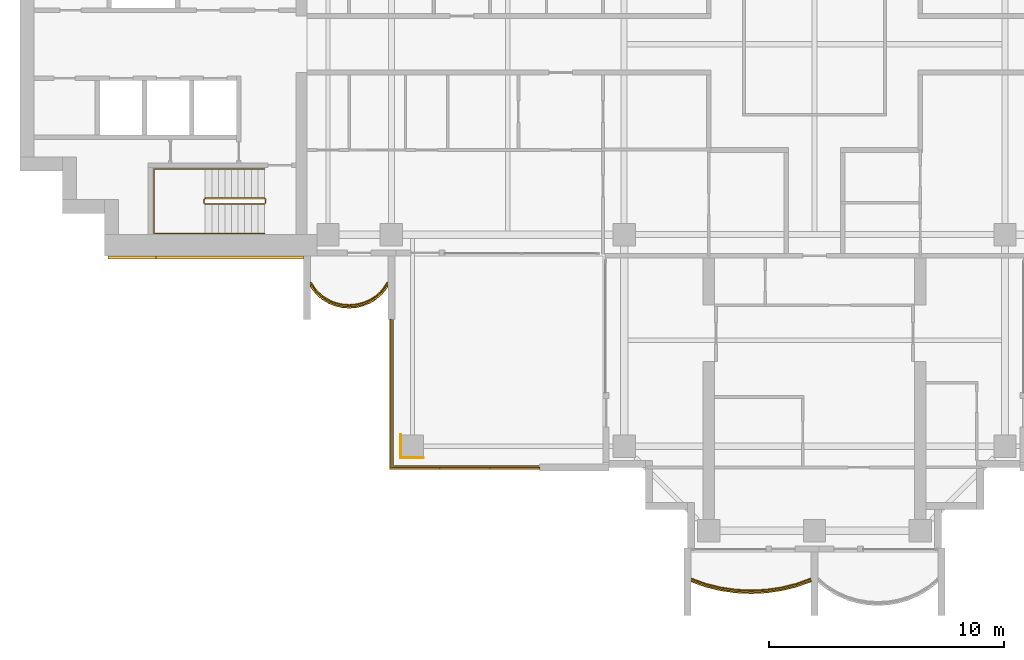
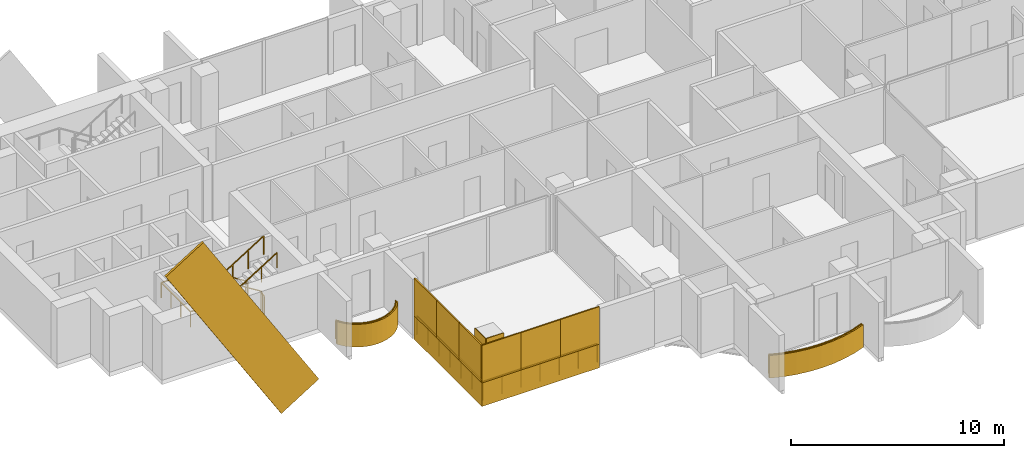
# One storey, part 15 of 18: 12 coverings, 5 railings.
"""IFC4 building model written with IfcOpenShell, lengths in metres."""

from ifc_helpers import new_model, si_unit, direction, frame, origin, origin_2d, place, context, subcontext, project, spatial, polyline, rectangle, outline, extrude, material, layer, layer_set, material_profile, profile_set, type_object, element, save


model = new_model("IFC4")

# Units and contexts
model_context = context("Model", 3, precision=1e-05, world=origin(), true_north=direction((0.0, 1.0)))
body_context = subcontext(model_context, "Body", "Model", "MODEL_VIEW")
ifc_project = project(units=[si_unit("LENGTHUNIT", "METRE"), si_unit("AREAUNIT", "SQUARE_METRE"), si_unit("VOLUMEUNIT", "CUBIC_METRE"), si_unit("PLANEANGLEUNIT", "RADIAN"), si_unit("MASSUNIT", "GRAM", prefix="KILO")], contexts=[model_context])

# Site, building, storey
site_placement = place(None, origin())
site = spatial("IfcSite", under=ifc_project, at=site_placement, CompositionType="ELEMENT")
building_placement = place(site_placement, origin())
building = spatial("IfcBuilding", under=site, at=building_placement, Name="Perihelion Cross Residences", CompositionType="ELEMENT")
storey_placement = place(building_placement, frame((0.0, 0.0, 219.10009765625)))
storey = spatial("IfcBuildingStorey", under=building, at=storey_placement, Name="L55", CompositionType="ELEMENT", Elevation=219.10009765625)

# Coverings
ifc_material_1 = material(Name="Bronze anodised aluminium", Category="aluminium")
ifc_layer_1 = layer(ifc_material_1, 0.070068359375)
ifc_layer_set_1 = layer_set([ifc_layer_1], Name="Balcony fascia 1300")
covering_type_1 = type_object("IfcCoveringType", Name="Balcony fascia 1300", PredefinedType="CLADDING", material=ifc_layer_set_1)
covering_1_placement = place(storey_placement, frame((0.0, 0.0, -0.2001953125)))
element("IfcCovering", 1, at=covering_1_placement, inside=storey, type_object=covering_type_1, Name="Fascia BF1 L55 west side south bay 1", PredefinedType="CLADDING", context=body_context, shape_type="SweptSolid", body=[
    extrude(outline(polyline([(-21.226318359375, -10.616455078125), (-20.94091796875, -10.86328125), (-20.655517578125, -11.031494140625), (-20.370361328125, -11.142578125), (-20.085205078125, -11.206298828125), (-19.800048828125, -11.22705078125), (-19.514892578125, -11.206298828125), (-19.229736328125, -11.142578125), (-18.9443359375, -11.031494140625), (-18.6591796875, -10.86328125), (-18.373779296875, -10.616455078125), (-18.14990234375, -10.31689453125), (-18.14990234375, -10.199951171875), (-18.425048828125, -10.568603515625), (-18.699951171875, -10.806396484375), (-18.97509765625, -10.96875), (-19.25, -11.07568359375), (-19.52490234375, -11.136962890625), (-19.800048828125, -11.156982421875), (-20.074951171875, -11.136962890625), (-20.35009765625, -11.07568359375), (-20.625, -10.96875), (-20.89990234375, -10.806396484375), (-21.175048828125, -10.568603515625), (-21.449951171875, -10.199951171875), (-21.449951171875, -10.31689453125), (-21.226318359375, -10.616455078125)])), origin(), (0.0, 0.0, 1.0), 1.300048828125),
])
covering_2_placement = place(storey_placement, frame((0.0, 0.0, -0.2001953125)))
element("IfcCovering", 2, at=covering_2_placement, inside=storey, type_object=covering_type_1, Name="Fascia BF1 L55 south tip south bay 1", PredefinedType="CLADDING", context=body_context, shape_type="SweptSolid", body=[
    extrude(outline(polyline([(-4.63232421875, -23.090576171875), (-3.98828125, -23.247314453125), (-3.34423828125, -23.339599609375), (-2.699951171875, -23.3701171875), (-2.055908203125, -23.339599609375), (-1.411865234375, -23.247314453125), (-0.767578125, -23.090576171875), (-0.14990234375, -22.874267578125), (-0.14990234375, -22.800048828125), (-0.78759765625, -23.0234375), (-1.425048828125, -23.178466796875), (-2.0625, -23.269775390625), (-2.699951171875, -23.300048828125), (-3.33740234375, -23.269775390625), (-3.97509765625, -23.178466796875), (-4.612548828125, -23.0234375), (-5.25, -22.800048828125), (-5.25, -22.874267578125), (-4.63232421875, -23.090576171875)])), origin(), (0.0, 0.0, 1.0), 1.300048828125),
])

# Railings
ifc_material_2 = material(Name="Bronze anodised aluminium", Category="aluminium")
railing_type_1 = type_object("IfcRailingType", Name="Balcony guard 1100", PredefinedType="GUARDRAIL", material=ifc_material_2)
railing_1_placement = place(storey_placement, frame((-21.425048828125, -10.139892578125, 0.0)))
element("IfcRailing", 3, at=railing_1_placement, inside=storey, type_object=railing_type_1, Name="Guard GU1 L55 west side south bay 1 balcony", PredefinedType="GUARDRAIL", context=body_context, shape_type="SweptSolid", body=[
    extrude(rectangle(XDim=0.048095703125, YDim=0.048095703125, at=origin_2d()), frame((0.0, 0.0, 1.076171875), z_axis=(0.561260132269, -0.827639452857, 0.0), x_axis=(0.827639452857, 0.561260132269, 0.0)), (0.0, 0.0, 1.0), 0.4453125),
    extrude(rectangle(XDim=0.048095703125, YDim=0.048095703125, at=origin_2d()), frame((0.25, -0.36865234375, 1.076171875), z_axis=(0.756596535164, -0.653882009982, 0.0), x_axis=(0.653882009982, 0.756596535164, 0.0)), (0.0, 0.0, 1.0), 0.36376953125),
    extrude(rectangle(XDim=0.048095703125, YDim=0.048095703125, at=origin_2d()), frame((0.525146484375, -0.6064453125, 1.076171875), z_axis=(0.861048292884, -0.508523192511, 0.0), x_axis=(0.508523192511, 0.861048292884, 0.0)), (0.0, 0.0, 1.0), 0.3193359375),
    extrude(rectangle(XDim=0.048095703125, YDim=0.048095703125, at=origin_2d()), frame((0.800048828125, -0.768798828125, 1.076171875), z_axis=(0.931973602183, -0.362526143656, 0.0), x_axis=(0.362526143656, 0.931973602183, 0.0)), (0.0, 0.0, 1.0), 0.294921875),
    extrude(rectangle(XDim=0.048095703125, YDim=0.048095703125, at=origin_2d()), frame((1.074951171875, -0.875732421875, 1.076171875), z_axis=(0.976085059389, -0.21738895289, 0.0), x_axis=(0.21738895289, 0.976085059389, 0.0)), (0.0, 0.0, 1.0), 0.281982421875),
    extrude(rectangle(XDim=0.048095703125, YDim=0.048095703125, at=origin_2d()), frame((1.35009765625, -0.93701171875, 1.076171875), z_axis=(0.997358821833, -0.072631814734, 0.0), x_axis=(0.072631814734, 0.997358821833, 0.0)), (0.0, 0.0, 1.0), 0.275634765625),
    extrude(rectangle(XDim=0.048095703125, YDim=0.048095703125, at=origin_2d()), frame((1.625, -0.95703125, 1.076171875), z_axis=(0.997363488337, 0.072567707226, 0.0), x_axis=(-0.072567707226, 0.997363488337, 0.0)), (0.0, 0.0, 1.0), 0.27587890625),
    extrude(rectangle(XDim=0.048095703125, YDim=0.048095703125, at=origin_2d()), frame((1.900146484375, -0.93701171875, 1.076171875), z_axis=(0.976044077717, 0.217572880557, 0.0), x_axis=(-0.217572880557, 0.976044077717, 0.0)), (0.0, 0.0, 1.0), 0.28173828125),
    extrude(rectangle(XDim=0.048095703125, YDim=0.048095703125, at=origin_2d()), frame((2.175048828125, -0.875732421875, 1.076171875), z_axis=(0.931973602183, 0.362526143656, 0.0), x_axis=(-0.362526143656, 0.931973602183, 0.0)), (0.0, 0.0, 1.0), 0.294921875),
    extrude(rectangle(XDim=0.048095703125, YDim=0.048095703125, at=origin_2d()), frame((2.449951171875, -0.768798828125, 1.076171875), z_axis=(0.861245845072, 0.508188542123, 0.0), x_axis=(-0.508188542123, 0.861245845072, 0.0)), (0.0, 0.0, 1.0), 0.319580078125),
    extrude(rectangle(XDim=0.048095703125, YDim=0.048095703125, at=origin_2d()), frame((2.72509765625, -0.6064453125, 1.076171875), z_axis=(0.756309278473, 0.654214242658, 0.0), x_axis=(-0.654214242658, 0.756309278473, 0.0)), (0.0, 0.0, 1.0), 0.363525390625),
    extrude(rectangle(XDim=0.048095703125, YDim=0.048095703125, at=origin_2d()), frame((3.0, -0.36865234375, 1.076171875), z_axis=(0.561260132269, 0.827639452857, 0.0), x_axis=(-0.827639452857, 0.561260132269, 0.0)), (0.0, 0.0, 1.0), 0.4453125),
    extrude(rectangle(XDim=0.0419921875, YDim=0.0419921875, at=origin_2d()), origin(), (0.0, 0.0, 1.0), 1.052001953125),
    extrude(rectangle(XDim=0.0419921875, YDim=0.0419921875, at=origin_2d()), frame((0.25, -0.36865234375, 0.0)), (0.0, 0.0, 1.0), 1.052001953125),
    extrude(rectangle(XDim=0.0419921875, YDim=0.0419921875, at=origin_2d()), frame((0.525146484375, -0.6064453125, 0.0)), (0.0, 0.0, 1.0), 1.052001953125),
    extrude(rectangle(XDim=0.0419921875, YDim=0.0419921875, at=origin_2d()), frame((0.800048828125, -0.768798828125, 0.0)), (0.0, 0.0, 1.0), 1.052001953125),
    extrude(rectangle(XDim=0.0419921875, YDim=0.0419921875, at=origin_2d()), frame((1.074951171875, -0.875732421875, 0.0)), (0.0, 0.0, 1.0), 1.052001953125),
    extrude(rectangle(XDim=0.0419921875, YDim=0.0419921875, at=origin_2d()), frame((1.35009765625, -0.93701171875, 0.0)), (0.0, 0.0, 1.0), 1.052001953125),
    extrude(rectangle(XDim=0.0419921875, YDim=0.0419921875, at=origin_2d()), frame((1.625, -0.95703125, 0.0)), (0.0, 0.0, 1.0), 1.052001953125),
    extrude(rectangle(XDim=0.0419921875, YDim=0.0419921875, at=origin_2d()), frame((1.900146484375, -0.93701171875, 0.0)), (0.0, 0.0, 1.0), 1.052001953125),
    extrude(rectangle(XDim=0.0419921875, YDim=0.0419921875, at=origin_2d()), frame((2.175048828125, -0.875732421875, 0.0)), (0.0, 0.0, 1.0), 1.052001953125),
    extrude(rectangle(XDim=0.0419921875, YDim=0.0419921875, at=origin_2d()), frame((2.449951171875, -0.768798828125, 0.0)), (0.0, 0.0, 1.0), 1.052001953125),
    extrude(rectangle(XDim=0.0419921875, YDim=0.0419921875, at=origin_2d()), frame((2.72509765625, -0.6064453125, 0.0)), (0.0, 0.0, 1.0), 1.052001953125),
    extrude(rectangle(XDim=0.0419921875, YDim=0.0419921875, at=origin_2d()), frame((3.0, -0.36865234375, 0.0)), (0.0, 0.0, 1.0), 1.052001953125),
    extrude(rectangle(XDim=0.0419921875, YDim=0.0419921875, at=origin_2d()), frame((3.25, 0.0, 0.0)), (0.0, 0.0, 1.0), 1.052001953125),
])
railing_2_placement = place(storey_placement, frame((-5.22509765625, -22.739990234375, 0.0)))
element("IfcRailing", 4, at=railing_2_placement, inside=storey, type_object=railing_type_1, Name="Guard GU1 L55 south tip south bay 1 balcony", PredefinedType="GUARDRAIL", context=body_context, shape_type="SweptSolid", body=[
    extrude(rectangle(XDim=0.048095703125, YDim=0.048095703125, at=origin_2d()), frame((0.0, 0.0, 1.076171875), z_axis=(0.939355405384, -0.342945217749, 0.0), x_axis=(0.342945217749, 0.939355405384, 0.0)), (0.0, 0.0, 1.0), 0.652099609375),
    extrude(rectangle(XDim=0.048095703125, YDim=0.048095703125, at=origin_2d()), frame((0.612548828125, -0.2236328125, 1.076171875), z_axis=(0.971676841941, -0.236313594268, 0.0), x_axis=(0.236313594268, 0.971676841941, 0.0)), (0.0, 0.0, 1.0), 0.656005859375),
    extrude(rectangle(XDim=0.048095703125, YDim=0.048095703125, at=origin_2d()), frame((1.25, -0.378662109375, 1.076171875), z_axis=(0.989903964498, -0.141739694763, 0.0), x_axis=(0.141739694763, 0.989903964498, 0.0)), (0.0, 0.0, 1.0), 0.644287109375),
    extrude(rectangle(XDim=0.048095703125, YDim=0.048095703125, at=origin_2d()), frame((1.8876953125, -0.469970703125, 1.076171875), z_axis=(0.998892243319, -0.04705620296, 0.0), x_axis=(0.04705620296, 0.998892243319, 0.0)), (0.0, 0.0, 1.0), 0.63818359375),
    extrude(rectangle(XDim=0.048095703125, YDim=0.048095703125, at=origin_2d()), frame((2.525146484375, -0.5, 1.076171875), z_axis=(0.998892243319, 0.04705620296, 0.0), x_axis=(-0.04705620296, 0.998892243319, 0.0)), (0.0, 0.0, 1.0), 0.63818359375),
    extrude(rectangle(XDim=0.048095703125, YDim=0.048095703125, at=origin_2d()), frame((3.16259765625, -0.469970703125, 1.076171875), z_axis=(0.989896346386, 0.141792889142, 0.0), x_axis=(-0.141792889142, 0.989896346386, 0.0)), (0.0, 0.0, 1.0), 0.64404296875),
    extrude(rectangle(XDim=0.048095703125, YDim=0.048095703125, at=origin_2d()), frame((3.800048828125, -0.378662109375, 1.076171875), z_axis=(0.971676841941, 0.236313594268, 0.0), x_axis=(-0.236313594268, 0.971676841941, 0.0)), (0.0, 0.0, 1.0), 0.656005859375),
    extrude(rectangle(XDim=0.048095703125, YDim=0.048095703125, at=origin_2d()), frame((4.4375, -0.2236328125, 1.076171875), z_axis=(0.939355405384, 0.342945217749, 0.0), x_axis=(-0.342945217749, 0.939355405384, 0.0)), (0.0, 0.0, 1.0), 0.652099609375),
    extrude(rectangle(XDim=0.0419921875, YDim=0.0419921875, at=origin_2d()), origin(), (0.0, 0.0, 1.0), 1.052001953125),
    extrude(rectangle(XDim=0.0419921875, YDim=0.0419921875, at=origin_2d()), frame((0.612548828125, -0.2236328125, 0.0)), (0.0, 0.0, 1.0), 1.052001953125),
    extrude(rectangle(XDim=0.0419921875, YDim=0.0419921875, at=origin_2d()), frame((1.25, -0.378662109375, 0.0)), (0.0, 0.0, 1.0), 1.052001953125),
    extrude(rectangle(XDim=0.0419921875, YDim=0.0419921875, at=origin_2d()), frame((1.8876953125, -0.469970703125, 0.0)), (0.0, 0.0, 1.0), 1.052001953125),
    extrude(rectangle(XDim=0.0419921875, YDim=0.0419921875, at=origin_2d()), frame((2.525146484375, -0.5, 0.0)), (0.0, 0.0, 1.0), 1.052001953125),
    extrude(rectangle(XDim=0.0419921875, YDim=0.0419921875, at=origin_2d()), frame((3.16259765625, -0.469970703125, 0.0)), (0.0, 0.0, 1.0), 1.052001953125),
    extrude(rectangle(XDim=0.0419921875, YDim=0.0419921875, at=origin_2d()), frame((3.800048828125, -0.378662109375, 0.0)), (0.0, 0.0, 1.0), 1.052001953125),
    extrude(rectangle(XDim=0.0419921875, YDim=0.0419921875, at=origin_2d()), frame((4.4375, -0.2236328125, 0.0)), (0.0, 0.0, 1.0), 1.052001953125),
    extrude(rectangle(XDim=0.0419921875, YDim=0.0419921875, at=origin_2d()), frame((5.050048828125, 0.0, 0.0)), (0.0, 0.0, 1.0), 1.052001953125),
])
railing_3_placement = place(storey_placement, frame((-11.739990234375, -17.93994140625, 0.0)))
element("IfcRailing", 5, at=railing_3_placement, inside=storey, type_object=railing_type_1, Name="Guard GU1 L55 pocket south-west 1", PredefinedType="GUARDRAIL", context=body_context, shape_type="SweptSolid", body=[
    extrude(rectangle(XDim=0.048095703125, YDim=0.048095703125, at=origin_2d()), frame((0.0, 0.0, 1.076171875), z_axis=(-1.0, 0.0, 0.0), x_axis=(0.0, -1.0, 0.0)), (0.0, 0.0, 1.0), 6.199951171875),
    extrude(rectangle(XDim=0.048095703125, YDim=0.048095703125, at=origin_2d()), frame((-6.199951171875, 0.0, 1.076171875), z_axis=(0.0, 1.0, 0.0), x_axis=(-1.0, 0.0, 0.0)), (0.0, 0.0, 1.0), 6.199951171875),
    extrude(rectangle(XDim=0.0419921875, YDim=0.0419921875, at=origin_2d()), origin(), (0.0, 0.0, 1.0), 1.052001953125),
    extrude(rectangle(XDim=0.0419921875, YDim=0.0419921875, at=origin_2d()), frame((-1.033203125, 0.0, 0.0)), (0.0, 0.0, 1.0), 1.052001953125),
    extrude(rectangle(XDim=0.0419921875, YDim=0.0419921875, at=origin_2d()), frame((-2.066650390625, 0.0, 0.0)), (0.0, 0.0, 1.0), 1.052001953125),
    extrude(rectangle(XDim=0.0419921875, YDim=0.0419921875, at=origin_2d()), frame((-3.10009765625, 0.0, 0.0)), (0.0, 0.0, 1.0), 1.052001953125),
    extrude(rectangle(XDim=0.0419921875, YDim=0.0419921875, at=origin_2d()), frame((-4.13330078125, 0.0, 0.0)), (0.0, 0.0, 1.0), 1.052001953125),
    extrude(rectangle(XDim=0.0419921875, YDim=0.0419921875, at=origin_2d()), frame((-5.16650390625, 0.0, 0.0)), (0.0, 0.0, 1.0), 1.052001953125),
    extrude(rectangle(XDim=0.0419921875, YDim=0.0419921875, at=origin_2d()), frame((-6.199951171875, 0.0, 0.0)), (0.0, 0.0, 1.0), 1.052001953125),
    extrude(rectangle(XDim=0.0419921875, YDim=0.0419921875, at=origin_2d()), frame((-6.199951171875, 1.033203125, 0.0)), (0.0, 0.0, 1.0), 1.052001953125),
    extrude(rectangle(XDim=0.0419921875, YDim=0.0419921875, at=origin_2d()), frame((-6.199951171875, 2.066650390625, 0.0)), (0.0, 0.0, 1.0), 1.052001953125),
    extrude(rectangle(XDim=0.0419921875, YDim=0.0419921875, at=origin_2d()), frame((-6.199951171875, 3.10009765625, 0.0)), (0.0, 0.0, 1.0), 1.052001953125),
    extrude(rectangle(XDim=0.0419921875, YDim=0.0419921875, at=origin_2d()), frame((-6.199951171875, 4.13330078125, 0.0)), (0.0, 0.0, 1.0), 1.052001953125),
    extrude(rectangle(XDim=0.0419921875, YDim=0.0419921875, at=origin_2d()), frame((-6.199951171875, 5.16650390625, 0.0)), (0.0, 0.0, 1.0), 1.052001953125),
    extrude(rectangle(XDim=0.0419921875, YDim=0.0419921875, at=origin_2d()), frame((-6.199951171875, 6.199951171875, 0.0)), (0.0, 0.0, 1.0), 1.052001953125),
])

# Coverings
ifc_material_3 = material(Name="Bronze anodised aluminium", Category="aluminium")
ifc_material_profile = material_profile(ifc_material_3, rectangle(XDim=0.125, YDim=2.39990234375, at=origin_2d()), Name="Bronze cladding band 2400")
ifc_profile_set = profile_set([ifc_material_profile], Name="Bronze anodised aluminium")
covering_type_2 = type_object("IfcCoveringType", Name="Bronze cladding band 2400", PredefinedType="CLADDING", material=ifc_profile_set)
covering_3_placement = place(storey_placement, frame((-22.767578125, -9.0625, -3.438232421875), z_axis=(-0.529924684379, 0.0, 0.848044709249), x_axis=(0.0, -1.0, 0.0)))
element("IfcCovering", 6, at=covering_3_placement, inside=storey, type_object=covering_type_2, Name="Core cladding band, west core", PredefinedType="CLADDING", context=body_context, shape_type="SweptSolid", body=[
    extrude(rectangle(XDim=0.125, YDim=2.39990234375, at=origin_2d()), origin(), (0.0, 0.0, 1.0), 11.82177734375),
])
ifc_material_4 = material(Name="Bronze anodised aluminium", Category="aluminium")
ifc_layer_2 = layer(ifc_material_4, 0.0400390625)
ifc_layer_set_2 = layer_set([ifc_layer_2], Name="Bronze column casing 40")
covering_type_3 = type_object("IfcCoveringType", Name="Bronze column casing 40", PredefinedType="CLADDING", material=ifc_layer_set_2)
covering_4_placement = place(storey_placement, frame((-17.594970703125, -17.10009765625, -0.25), z_axis=(0.0, 0.0, 1.0), x_axis=(1.0, 0.0, 0.0)))
element("IfcCovering", 7, at=covering_4_placement, inside=storey, type_object=covering_type_3, Name="Cladding CC1 L55 casing east-west no. 1", PredefinedType="CLADDING", context=body_context, shape_type="SweptSolid", body=[
    extrude(rectangle(XDim=0.0400390625, YDim=1.030029296875, at=origin_2d()), origin(), (0.0, 0.0, 1.0), 3.449951171875),
])
covering_5_placement = place(storey_placement, frame((-17.10009765625, -17.594970703125, -0.25), z_axis=(0.0, 0.0, 1.0), x_axis=(1.0, 0.0, 0.0)))
element("IfcCovering", 8, at=covering_5_placement, inside=storey, type_object=covering_type_3, Name="Cladding CC1 L55 casing north-south no. 1", PredefinedType="CLADDING", context=body_context, shape_type="SweptSolid", body=[
    extrude(rectangle(XDim=0.949951171875, YDim=0.0400390625, at=origin_2d()), origin(), (0.0, 0.0, 1.0), 3.449951171875),
])
ifc_material_5 = material(Name="Bronze anodised aluminium", Category="aluminium")
ifc_layer_3 = layer(ifc_material_5, 0.070068359375)
ifc_layer_set_3 = layer_set([ifc_layer_3], Name="Pocket fascia 1350")
covering_type_4 = type_object("IfcCoveringType", Name="Pocket fascia 1350", PredefinedType="CLADDING", material=ifc_layer_set_3)
covering_6_placement = place(storey_placement, frame((0.0, 0.0, -0.25)))
element("IfcCovering", 9, at=covering_6_placement, inside=storey, type_object=covering_type_4, Name="Fascia BF2 L55 pocket south-west 1", PredefinedType="CLADDING", context=body_context, shape_type="SweptSolid", body=[
    extrude(outline(polyline([(-18.070068359375, -11.699951171875), (-18.070068359375, -18.070068359375), (-11.699951171875, -18.070068359375), (-11.699951171875, -18.0), (-18.0, -18.0), (-18.0, -11.699951171875), (-18.070068359375, -11.699951171875)])), origin(), (0.0, 0.0, 1.0), 1.349853515625),
])
ifc_material_6 = material(Name="Bronze perforated aluminium", Category="aluminium")
ifc_layer_4 = layer(ifc_material_6, 0.070068359375)
ifc_layer_set_4 = layer_set([ifc_layer_4], Name="Pocket solar screen, bronze perforated")
covering_type_5 = type_object("IfcCoveringType", Name="Pocket solar screen, bronze perforated", PredefinedType="CLADDING", material=ifc_layer_set_4)
covering_7_placement = place(storey_placement, frame((0.0, 0.0, 1.099853515625)))
element("IfcCovering", 10, at=covering_7_placement, inside=storey, type_object=covering_type_5, Name="Solar screen PS1 L55 pocket south-west no. 1", PredefinedType="CLADDING", context=body_context, shape_type="SweptSolid", body=[
    extrude(outline(polyline([(-18.0, -18.0), (-18.0, -15.89990234375), (-18.070068359375, -15.89990234375), (-18.070068359375, -18.0), (-18.0, -18.0)])), origin(), (0.0, 0.0, 1.0), 2.150146484375),
])
covering_8_placement = place(storey_placement, frame((0.0, 0.0, 1.099853515625)))
element("IfcCovering", 11, at=covering_8_placement, inside=storey, type_object=covering_type_5, Name="Solar screen PS1 L55 pocket south-west no. 2", PredefinedType="CLADDING", context=body_context, shape_type="SweptSolid", body=[
    extrude(outline(polyline([(-18.0, -15.89990234375), (-18.0, -13.800048828125), (-18.070068359375, -13.800048828125), (-18.070068359375, -15.89990234375), (-18.0, -15.89990234375)])), origin(), (0.0, 0.0, 1.0), 2.150146484375),
])
covering_9_placement = place(storey_placement, frame((0.0, 0.0, 1.099853515625)))
element("IfcCovering", 12, at=covering_9_placement, inside=storey, type_object=covering_type_5, Name="Solar screen PS1 L55 pocket south-west no. 3", PredefinedType="CLADDING", context=body_context, shape_type="SweptSolid", body=[
    extrude(outline(polyline([(-18.0, -13.800048828125), (-18.0, -11.699951171875), (-18.070068359375, -11.699951171875), (-18.070068359375, -13.800048828125), (-18.0, -13.800048828125)])), origin(), (0.0, 0.0, 1.0), 2.150146484375),
])
covering_10_placement = place(storey_placement, frame((0.0, 0.0, 1.099853515625)))
element("IfcCovering", 13, at=covering_10_placement, inside=storey, type_object=covering_type_5, Name="Solar screen PS1 L55 pocket south-west no. 4", PredefinedType="CLADDING", context=body_context, shape_type="SweptSolid", body=[
    extrude(outline(polyline([(-15.94677734375, -18.070068359375), (-15.94677734375, -18.0), (-18.070068359375, -18.0), (-18.070068359375, -18.070068359375), (-15.94677734375, -18.070068359375)])), origin(), (0.0, 0.0, 1.0), 2.150146484375),
])
covering_11_placement = place(storey_placement, frame((0.0, 0.0, 1.099853515625)))
element("IfcCovering", 14, at=covering_11_placement, inside=storey, type_object=covering_type_5, Name="Solar screen PS1 L55 pocket south-west no. 5", PredefinedType="CLADDING", context=body_context, shape_type="SweptSolid", body=[
    extrude(outline(polyline([(-13.8232421875, -18.070068359375), (-13.8232421875, -18.0), (-15.94677734375, -18.0), (-15.94677734375, -18.070068359375), (-13.8232421875, -18.070068359375)])), origin(), (0.0, 0.0, 1.0), 2.150146484375),
])
covering_12_placement = place(storey_placement, frame((0.0, 0.0, 1.099853515625)))
element("IfcCovering", 15, at=covering_12_placement, inside=storey, type_object=covering_type_5, Name="Solar screen PS1 L55 pocket south-west no. 6", PredefinedType="CLADDING", context=body_context, shape_type="SweptSolid", body=[
    extrude(outline(polyline([(-11.699951171875, -18.070068359375), (-11.699951171875, -18.0), (-13.8232421875, -18.0), (-13.8232421875, -18.070068359375), (-11.699951171875, -18.070068359375)])), origin(), (0.0, 0.0, 1.0), 2.150146484375),
])

# Railings
ifc_material_7 = material(Name="Stainless steel", Category="steel")
railing_type_2 = type_object("IfcRailingType", Name="Stair guard 1100", PredefinedType="GUARDRAIL", material=ifc_material_7)
railing_4_placement = place(storey_placement, frame((-23.35009765625, -6.75, 0.0)))
element("IfcRailing", 16, at=railing_4_placement, inside=storey, type_object=railing_type_2, Name="L55 ST-W2 stair guard 1", PredefinedType="GUARDRAIL", context=body_context, shape_type="SweptSolid", body=[
    extrude(rectangle(XDim=0.048095703125, YDim=0.048095703125, at=origin_2d()), frame((0.0, 0.0, 1.076171875), z_axis=(0.0, 1.0, 0.0), x_axis=(-1.0, 0.0, 0.0)), (0.0, 0.0, 1.0), 0.14990234375),
    extrude(rectangle(XDim=0.048095703125, YDim=0.048095703125, at=origin_2d()), frame((0.0, 0.14990234375, 1.076171875), z_axis=(-0.264179342666, 0.265474339444, 0.927217692888), x_axis=(-0.708833529934, -0.705375805398, 0.0)), (0.0, 0.0, 1.0), 0.1884765625),
    extrude(rectangle(XDim=0.048095703125, YDim=0.048095703125, at=origin_2d()), frame((-0.0498046875, 0.199951171875, 1.2509765625), z_axis=(-0.847970611238, 0.0, 0.530043245855), x_axis=(0.0, -1.0, 0.0)), (0.0, 0.0, 1.0), 2.971923828125),
    extrude(rectangle(XDim=0.048095703125, YDim=0.048095703125, at=origin_2d()), frame((-2.56982421875, 0.199951171875, 2.826171875), z_axis=(-0.707106781187, -0.707106781187, 0.0), x_axis=(0.707106781187, -0.707106781187, 0.0)), (0.0, 0.0, 1.0), 0.07080078125),
    extrude(rectangle(XDim=0.048095703125, YDim=0.048095703125, at=origin_2d()), frame((-2.619873046875, 0.14990234375, 2.826171875), z_axis=(0.0, -1.0, 0.0), x_axis=(1.0, 0.0, 0.0)), (0.0, 0.0, 1.0), 0.14990234375),
    extrude(rectangle(XDim=0.048095703125, YDim=0.048095703125, at=origin_2d()), frame((-2.619873046875, 0.0, 2.826171875), z_axis=(0.265383341853, -0.265383341853, 0.926899867156), x_axis=(0.707106781187, 0.707106781187, 0.0)), (0.0, 0.0, 1.0), 0.1884765625),
    extrude(rectangle(XDim=0.048095703125, YDim=0.048095703125, at=origin_2d()), frame((-2.56982421875, -0.050048828125, 3.0009765625), z_axis=(0.847970611238, 0.0, 0.530043245855), x_axis=(0.0, 1.0, 0.0)), (0.0, 0.0, 1.0), 2.971923828125),
    extrude(rectangle(XDim=0.0419921875, YDim=0.0419921875, at=origin_2d()), origin(), (0.0, 0.0, 1.0), 1.052001953125),
    extrude(rectangle(XDim=0.0419921875, YDim=0.0419921875, at=origin_2d()), frame((0.0, 0.14990234375, 0.0)), (0.0, 0.0, 1.0), 1.052001953125),
    extrude(rectangle(XDim=0.0419921875, YDim=0.0419921875, at=origin_2d()), frame((-0.0498046875, 0.199951171875, 0.1748046875)), (0.0, 0.0, 1.0), 1.052001953125),
    extrude(rectangle(XDim=0.0419921875, YDim=0.0419921875, at=origin_2d()), frame((-0.889892578125, 0.199951171875, 0.699951171875)), (0.0, 0.0, 1.0), 1.052001953125),
    extrude(rectangle(XDim=0.0419921875, YDim=0.0419921875, at=origin_2d()), frame((-1.729736328125, 0.199951171875, 1.224853515625)), (0.0, 0.0, 1.0), 1.052001953125),
    extrude(rectangle(XDim=0.0419921875, YDim=0.0419921875, at=origin_2d()), frame((-2.56982421875, 0.199951171875, 1.75)), (0.0, 0.0, 1.0), 1.052001953125),
    extrude(rectangle(XDim=0.0419921875, YDim=0.0419921875, at=origin_2d()), frame((-2.619873046875, 0.14990234375, 1.75)), (0.0, 0.0, 1.0), 1.052001953125),
    extrude(rectangle(XDim=0.0419921875, YDim=0.0419921875, at=origin_2d()), frame((-2.619873046875, 0.0, 1.75)), (0.0, 0.0, 1.0), 1.052001953125),
    extrude(rectangle(XDim=0.0419921875, YDim=0.0419921875, at=origin_2d()), frame((-2.56982421875, -0.050048828125, 1.9248046875)), (0.0, 0.0, 1.0), 1.052001953125),
    extrude(rectangle(XDim=0.0419921875, YDim=0.0419921875, at=origin_2d()), frame((-1.729736328125, -0.050048828125, 2.449951171875)), (0.0, 0.0, 1.0), 1.052001953125),
    extrude(rectangle(XDim=0.0419921875, YDim=0.0419921875, at=origin_2d()), frame((-0.889892578125, -0.050048828125, 2.974853515625)), (0.0, 0.0, 1.0), 1.052001953125),
    extrude(rectangle(XDim=0.0419921875, YDim=0.0419921875, at=origin_2d()), frame((-0.0498046875, -0.050048828125, 3.5)), (0.0, 0.0, 1.0), 1.052001953125),
])
ifc_material_8 = material(Name="Stainless steel", Category="steel")
railing_type_3 = type_object("IfcRailingType", Name="Stair handrail 900", PredefinedType="HANDRAIL", material=ifc_material_8)
railing_5_placement = place(storey_placement, frame((-23.39990234375, -5.300048828125, 0.1748046875)))
element("IfcRailing", 17, at=railing_5_placement, inside=storey, type_object=railing_type_3, Name="L55 ST-W2 stair handrail 1", PredefinedType="HANDRAIL", context=body_context, shape_type="SweptSolid", body=[
    extrude(rectangle(XDim=0.048095703125, YDim=0.048095703125, at=origin_2d()), frame((0.0, 0.0, 0.8759765625), z_axis=(-0.847970611238, 0.0, 0.530043245855), x_axis=(0.0, -1.0, 0.0)), (0.0, 0.0, 1.0), 2.971923828125),
    extrude(rectangle(XDim=0.048095703125, YDim=0.048095703125, at=origin_2d()), frame((-2.52001953125, 0.0, 2.451171875), z_axis=(-1.0, 0.0, 0.0), x_axis=(0.0, -1.0, 0.0)), (0.0, 0.0, 1.0), 2.18017578125),
    extrude(rectangle(XDim=0.048095703125, YDim=0.048095703125, at=origin_2d()), frame((-4.7001953125, 0.0, 2.451171875), z_axis=(0.0, -1.0, 0.0), x_axis=(1.0, 0.0, 0.0)), (0.0, 0.0, 1.0), 2.75),
    extrude(rectangle(XDim=0.048095703125, YDim=0.048095703125, at=origin_2d()), frame((-4.7001953125, -2.75, 2.451171875), z_axis=(1.0, 0.0, 0.0), x_axis=(0.0, 1.0, 0.0)), (0.0, 0.0, 1.0), 2.18017578125),
    extrude(rectangle(XDim=0.048095703125, YDim=0.048095703125, at=origin_2d()), frame((-2.52001953125, -2.75, 2.451171875), z_axis=(0.0, 0.0, 1.0), x_axis=(1.0, 0.0, 0.0)), (0.0, 0.0, 1.0), 0.1748046875),
    extrude(rectangle(XDim=0.048095703125, YDim=0.048095703125, at=origin_2d()), frame((-2.52001953125, -2.75, 2.6259765625), z_axis=(0.847970611238, 0.0, 0.530043245855), x_axis=(0.0, 1.0, 0.0)), (0.0, 0.0, 1.0), 2.971923828125),
    extrude(rectangle(XDim=0.0419921875, YDim=0.0419921875, at=origin_2d()), origin(), (0.0, 0.0, 1.0), 0.851806640625),
    extrude(rectangle(XDim=0.0419921875, YDim=0.0419921875, at=origin_2d()), frame((-0.840087890625, 0.0, 0.525146484375)), (0.0, 0.0, 1.0), 0.851806640625),
    extrude(rectangle(XDim=0.0419921875, YDim=0.0419921875, at=origin_2d()), frame((-1.679931640625, 0.0, 1.050048828125)), (0.0, 0.0, 1.0), 0.851806640625),
    extrude(rectangle(XDim=0.0419921875, YDim=0.0419921875, at=origin_2d()), frame((-2.52001953125, 0.0, 1.5751953125)), (0.0, 0.0, 1.0), 0.851806640625),
    extrude(rectangle(XDim=0.0419921875, YDim=0.0419921875, at=origin_2d()), frame((-3.610107421875, 0.0, 1.5751953125)), (0.0, 0.0, 1.0), 0.851806640625),
    extrude(rectangle(XDim=0.0419921875, YDim=0.0419921875, at=origin_2d()), frame((-4.7001953125, 0.0, 1.5751953125)), (0.0, 0.0, 1.0), 0.851806640625),
    extrude(rectangle(XDim=0.0419921875, YDim=0.0419921875, at=origin_2d()), frame((-4.7001953125, -0.916748046875, 1.5751953125)), (0.0, 0.0, 1.0), 0.851806640625),
    extrude(rectangle(XDim=0.0419921875, YDim=0.0419921875, at=origin_2d()), frame((-4.7001953125, -1.833251953125, 1.5751953125)), (0.0, 0.0, 1.0), 0.851806640625),
    extrude(rectangle(XDim=0.0419921875, YDim=0.0419921875, at=origin_2d()), frame((-4.7001953125, -2.75, 1.5751953125)), (0.0, 0.0, 1.0), 0.851806640625),
    extrude(rectangle(XDim=0.0419921875, YDim=0.0419921875, at=origin_2d()), frame((-3.610107421875, -2.75, 1.5751953125)), (0.0, 0.0, 1.0), 0.851806640625),
    extrude(rectangle(XDim=0.0419921875, YDim=0.0419921875, at=origin_2d()), frame((-2.52001953125, -2.75, 1.5751953125)), (0.0, 0.0, 1.0), 0.851806640625),
    extrude(rectangle(XDim=0.0419921875, YDim=0.0419921875, at=origin_2d()), frame((-2.52001953125, -2.75, 1.75)), (0.0, 0.0, 1.0), 0.851806640625),
    extrude(rectangle(XDim=0.0419921875, YDim=0.0419921875, at=origin_2d()), frame((-1.679931640625, -2.75, 2.275146484375)), (0.0, 0.0, 1.0), 0.851806640625),
    extrude(rectangle(XDim=0.0419921875, YDim=0.0419921875, at=origin_2d()), frame((-0.840087890625, -2.75, 2.800048828125)), (0.0, 0.0, 1.0), 0.851806640625),
    extrude(rectangle(XDim=0.0419921875, YDim=0.0419921875, at=origin_2d()), frame((0.0, -2.75, 3.3251953125)), (0.0, 0.0, 1.0), 0.851806640625),
])

save(model, "model.ifc")
